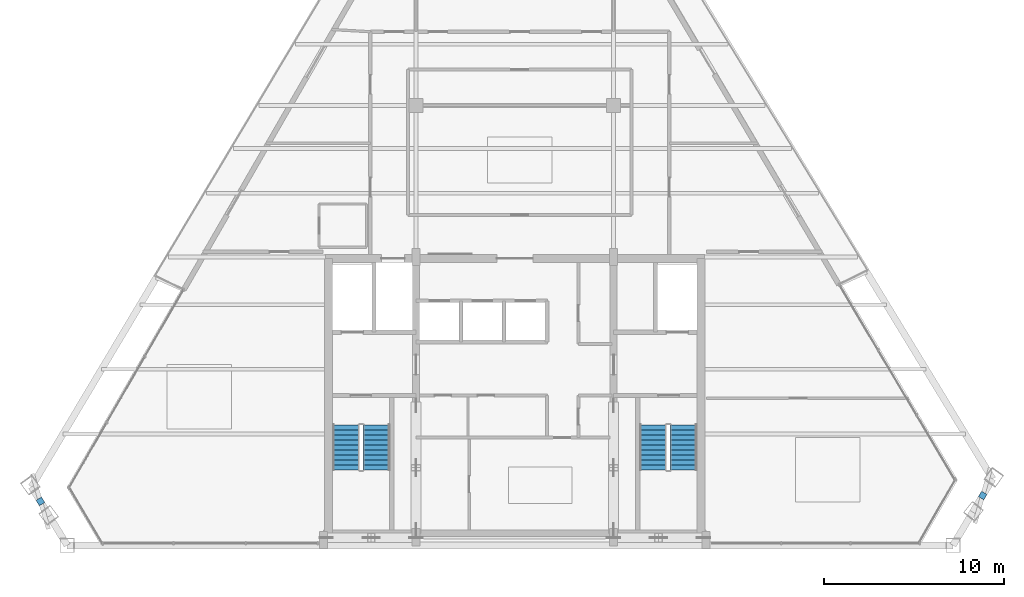
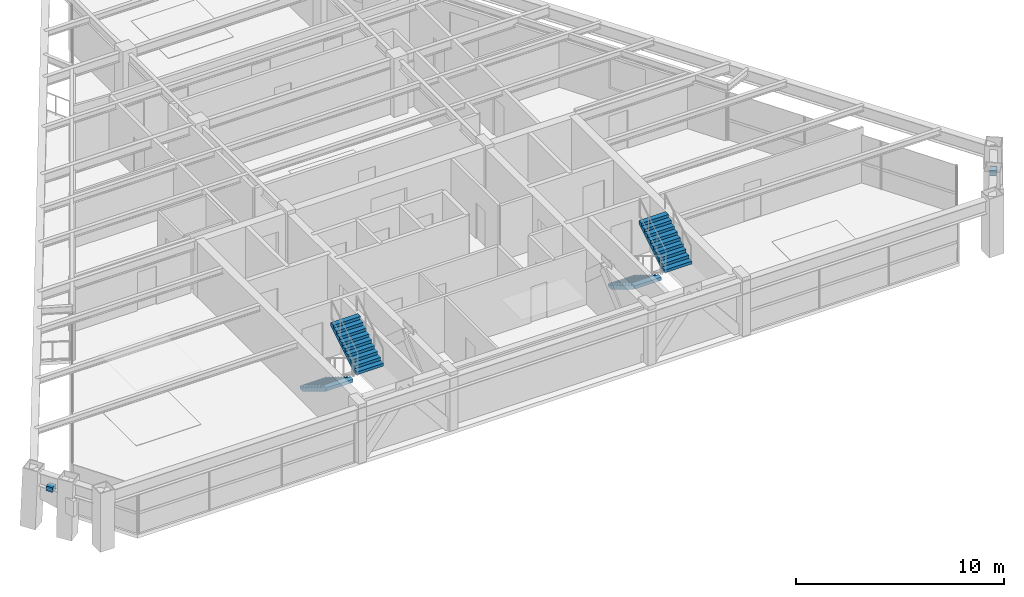
# One storey, part 11 of 13: 4 stair flights, 2 discrete accessories, 2 elements without a shape of their own.
"""IFC4 building model written with IfcOpenShell, lengths in metres."""

from ifc_helpers import new_model, si_unit, direction, frame, origin, origin_2d, place, context, subcontext, project, spatial, polyline, rectangle, outline, extrude, source, transform, mapped, material, type_object, type_shapes, element, aggregate, save


model = new_model("IFC4")

# Units and contexts
model_context = context("Model", 3, precision=1e-05, world=origin(), true_north=direction((0.0, 1.0)))
body_context = subcontext(model_context, "Body", "Model", "MODEL_VIEW")
ifc_project = project(units=[si_unit("LENGTHUNIT", "METRE"), si_unit("AREAUNIT", "SQUARE_METRE"), si_unit("VOLUMEUNIT", "CUBIC_METRE"), si_unit("PLANEANGLEUNIT", "RADIAN"), si_unit("MASSUNIT", "GRAM", prefix="KILO")], contexts=[model_context])

# Site, building, storey
site_placement = place(None, origin())
site = spatial("IfcSite", under=ifc_project, at=site_placement, CompositionType="ELEMENT")
building_placement = place(site_placement, origin())
building = spatial("IfcBuilding", under=site, at=building_placement, Name="Varnakhor Terracotta Tower", CompositionType="ELEMENT")
storey_placement = place(building_placement, frame((0.0, 0.0, 276.449951171875)))
storey = spatial("IfcBuildingStorey", under=building, at=storey_placement, Name="L72", CompositionType="ELEMENT", Elevation=276.449951171875)

# Stair, stair flights
ifc_material_1 = material(Name="Concrete C40/50", Category="concrete")
stair_type = type_object("IfcStairType", Name="STR-CORE-HOTEL-1500", PredefinedType="HALF_TURN_STAIR", material=ifc_material_1)
stair_1_placement = place(storey_placement, origin())
stair_1 = element("IfcStair", 1, at=stair_1_placement, inside=storey, type_object=stair_type, Name="L72 Core Exit Stair ST-1", PredefinedType="HALF_TURN_STAIR")
stair_flight_type = type_object("IfcStairFlightType", Name="FLT-HOTEL-1500", PredefinedType="STRAIGHT", material=ifc_material_1)
stair_flight_1_placement = place(storey_placement, frame((-9.39990234375, 6.7099609375, 0.0), z_axis=(0.0, 0.0, 1.0), x_axis=(0.0, -1.0, 0.0)))
stair_flight_1 = element("IfcStairFlight", 2, at=stair_flight_1_placement, type_object=stair_flight_type, Name="ST-1 flight 1", NumberOfRisers=10, NumberOfTreads=9, PredefinedType="STRAIGHT", RiserHeight=0.1725, TreadLength=0.28, context=body_context, shape_type="SweptSolid", body=[
    extrude(outline(polyline([(0.0, 0.0), (0.0, 0.172607421875), (0.280029296875, 0.172607421875), (0.280029296875, 0.344970703125), (0.56005859375, 0.344970703125), (0.56005859375, 0.517578125), (0.840087890625, 0.517578125), (0.840087890625, 0.68994140625), (1.1201171875, 0.68994140625), (1.1201171875, 0.862548828125), (1.39990234375, 0.862548828125), (1.39990234375, 1.034912109375), (1.679931640625, 1.034912109375), (1.679931640625, 1.20751953125), (1.9599609375, 1.20751953125), (1.9599609375, 1.3798828125), (2.239990234375, 1.3798828125), (2.239990234375, 1.552490234375), (2.52001953125, 1.552490234375), (2.52001953125, 1.72509765625), (2.52001953125, 1.36474609375), (0.304931640625, 0.0), (0.0, 0.0)])), frame((0.0, 0.75, 0.0), z_axis=(0.0, -1.0, 0.0), x_axis=(1.0, 0.0, 0.0)), (0.0, 0.0, 1.0), 1.5),
])
stair_flight_2_placement = place(storey_placement, frame((-7.699951171875, 4.18994140625, 1.72509765625), z_axis=(0.0, 0.0, 1.0), x_axis=(0.0, 1.0, 0.0)))
stair_flight_2 = element("IfcStairFlight", 3, at=stair_flight_2_placement, type_object=stair_flight_type, Name="ST-1 flight 2", NumberOfRisers=10, NumberOfTreads=9, PredefinedType="STRAIGHT", RiserHeight=0.1725, TreadLength=0.28, context=body_context, shape_type="SweptSolid", body=[
    extrude(outline(polyline([(0.0, 0.0), (0.0, 0.172607421875), (0.280029296875, 0.172607421875), (0.280029296875, 0.344970703125), (0.56005859375, 0.344970703125), (0.56005859375, 0.517578125), (0.840087890625, 0.517578125), (0.840087890625, 0.68994140625), (1.1201171875, 0.68994140625), (1.1201171875, 0.862548828125), (1.39990234375, 0.862548828125), (1.39990234375, 1.034912109375), (1.679931640625, 1.034912109375), (1.679931640625, 1.20751953125), (1.9599609375, 1.20751953125), (1.9599609375, 1.3798828125), (2.239990234375, 1.3798828125), (2.239990234375, 1.552490234375), (2.52001953125, 1.552490234375), (2.52001953125, 1.72509765625), (2.52001953125, 1.36474609375), (0.304931640625, 0.0), (0.0, 0.0)])), frame((0.0, 0.75, 0.0), z_axis=(0.0, -1.0, 0.0), x_axis=(1.0, 0.0, 0.0)), (0.0, 0.0, 1.0), 1.5),
])
aggregate(stair_1, [stair_flight_1, stair_flight_2])

stair_2_placement = place(storey_placement, origin())
stair_2 = element("IfcStair", 4, at=stair_2_placement, inside=storey, type_object=stair_type, Name="L72 Core Exit Stair ST-2", PredefinedType="HALF_TURN_STAIR")
stair_flight_3_placement = place(storey_placement, frame((7.699951171875, 6.7099609375, 0.0), z_axis=(0.0, 0.0, 1.0), x_axis=(0.0, -1.0, 0.0)))
stair_flight_3 = element("IfcStairFlight", 5, at=stair_flight_3_placement, type_object=stair_flight_type, Name="ST-2 flight 1", NumberOfRisers=10, NumberOfTreads=9, PredefinedType="STRAIGHT", RiserHeight=0.1725, TreadLength=0.28, context=body_context, shape_type="SweptSolid", body=[
    extrude(outline(polyline([(0.0, 0.0), (0.0, 0.172607421875), (0.280029296875, 0.172607421875), (0.280029296875, 0.344970703125), (0.56005859375, 0.344970703125), (0.56005859375, 0.517578125), (0.840087890625, 0.517578125), (0.840087890625, 0.68994140625), (1.1201171875, 0.68994140625), (1.1201171875, 0.862548828125), (1.39990234375, 0.862548828125), (1.39990234375, 1.034912109375), (1.679931640625, 1.034912109375), (1.679931640625, 1.20751953125), (1.9599609375, 1.20751953125), (1.9599609375, 1.3798828125), (2.239990234375, 1.3798828125), (2.239990234375, 1.552490234375), (2.52001953125, 1.552490234375), (2.52001953125, 1.72509765625), (2.52001953125, 1.36474609375), (0.304931640625, 0.0), (0.0, 0.0)])), frame((0.0, 0.75, 0.0), z_axis=(0.0, -1.0, 0.0), x_axis=(1.0, 0.0, 0.0)), (0.0, 0.0, 1.0), 1.5),
])
stair_flight_4_placement = place(storey_placement, frame((9.39990234375, 4.18994140625, 1.72509765625), z_axis=(0.0, 0.0, 1.0), x_axis=(0.0, 1.0, 0.0)))
stair_flight_4 = element("IfcStairFlight", 6, at=stair_flight_4_placement, type_object=stair_flight_type, Name="ST-2 flight 2", NumberOfRisers=10, NumberOfTreads=9, PredefinedType="STRAIGHT", RiserHeight=0.1725, TreadLength=0.28, context=body_context, shape_type="SweptSolid", body=[
    extrude(outline(polyline([(0.0, 0.0), (0.0, 0.172607421875), (0.280029296875, 0.172607421875), (0.280029296875, 0.344970703125), (0.56005859375, 0.344970703125), (0.56005859375, 0.517578125), (0.840087890625, 0.517578125), (0.840087890625, 0.68994140625), (1.1201171875, 0.68994140625), (1.1201171875, 0.862548828125), (1.39990234375, 0.862548828125), (1.39990234375, 1.034912109375), (1.679931640625, 1.034912109375), (1.679931640625, 1.20751953125), (1.9599609375, 1.20751953125), (1.9599609375, 1.3798828125), (2.239990234375, 1.3798828125), (2.239990234375, 1.552490234375), (2.52001953125, 1.552490234375), (2.52001953125, 1.72509765625), (2.52001953125, 1.36474609375), (0.304931640625, 0.0), (0.0, 0.0)])), frame((0.0, 0.75, 0.0), z_axis=(0.0, -1.0, 0.0), x_axis=(1.0, 0.0, 0.0)), (0.0, 0.0, 1.0), 1.5),
])
aggregate(stair_2, [stair_flight_3, stair_flight_4])

# Discrete accessories
ifc_material_2 = material(Name="Stainless Steel Fixing Bracket", Category="steel")
discrete_accessory_type = type_object("IfcDiscreteAccessoryType", Name="BRACKET-TERRACOTTA-SCREEN", PredefinedType="BRACKET", material=ifc_material_2)
shared_shape = source(origin(), body_context, "Body", "SweptSolid", [
    extrude(rectangle(XDim=0.35009765625, YDim=0.35009765625, at=origin_2d()), origin(), (0.0, 0.0, 1.0), 0.280029296875),
])
type_shapes(discrete_accessory_type, [shared_shape])
for number, where, z_axis, x_axis, name in (
    (7, (26.055419921875, 2.774658203125, 2.3369140625), (0.0, 0.0, 1.0), (0.512387632207, 0.858754280549, 0.0), "L72 E Screen Fixing Bracket"),
    (8, (-26.418212890625, 2.446044921875, 2.3369140625), (0.0, 0.0, 1.0), (0.520219853644, -0.854032378704, 0.0), "L72 W Screen Fixing Bracket"),
):
    element("IfcDiscreteAccessory", number, at=place(storey_placement, frame(where, z_axis=z_axis, x_axis=x_axis)), inside=storey, type_object=discrete_accessory_type, Name=name, PredefinedType="BRACKET", context=body_context, shape_type="MappedRepresentation", body=[
        mapped(shared_shape, transform((0.0, 0.0, 0.0), scale=1.0)),
    ])

save(model, "model.ifc")
